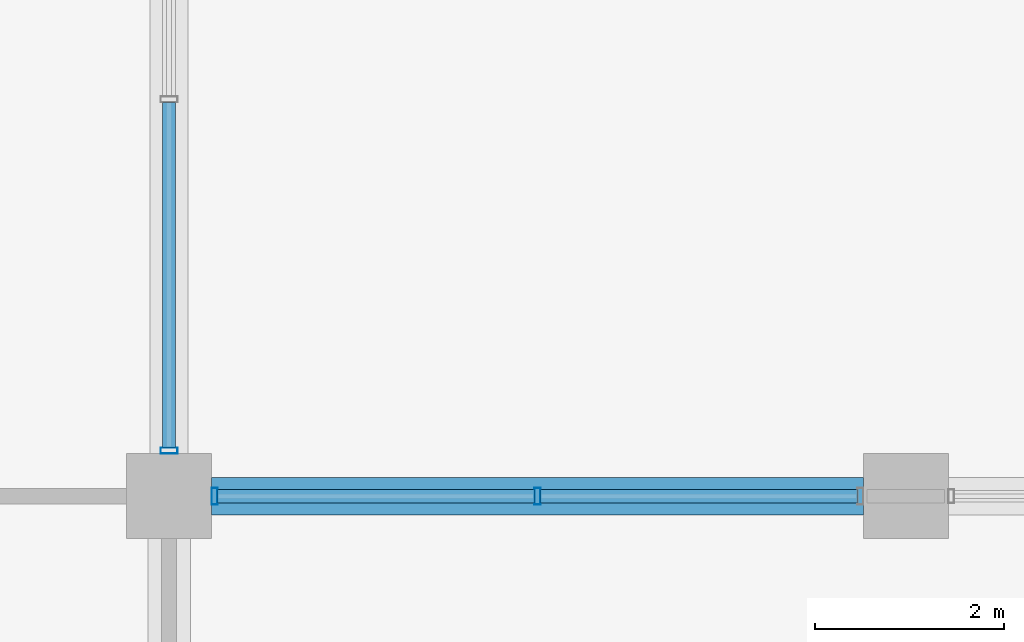
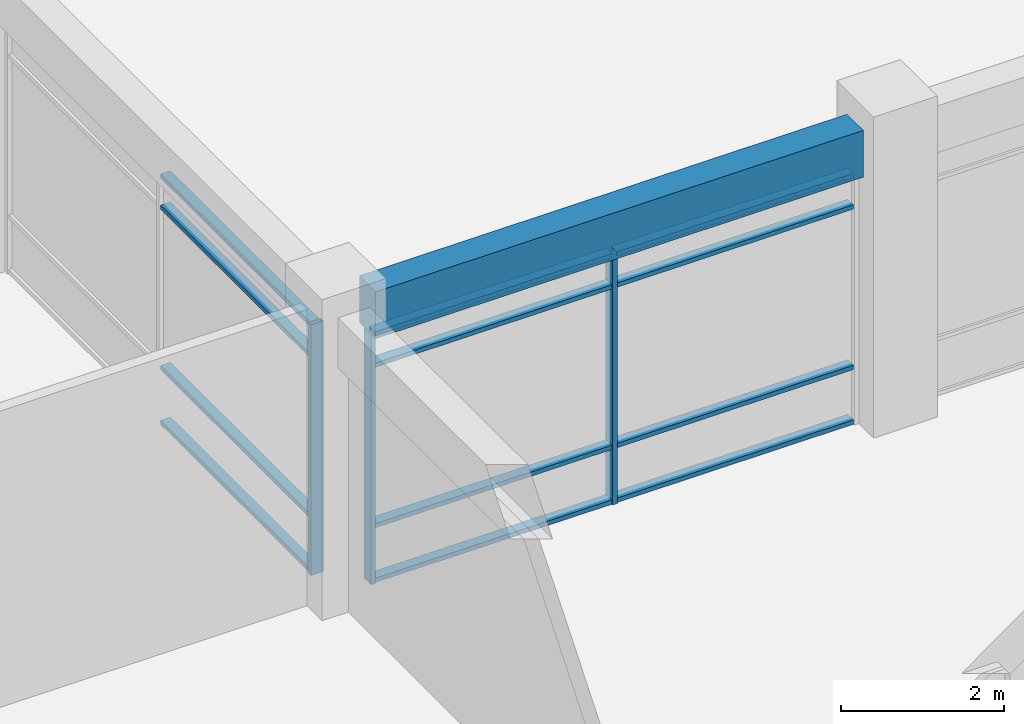
# One storey, part 19 of 74: 15 members, 1 beam, 2 elements without a shape of their own.
"""IFC4 building model written with IfcOpenShell, lengths in metres."""

from ifc_helpers import new_model, si_unit, direction, frame, origin, origin_2d, place, context, subcontext, project, spatial, rectangle, hollow_rectangle, extrude, material, material_profile, profile_set, type_object, element, aggregate, save


model = new_model("IFC4")

# Units and contexts
model_context = context("Model", 3, precision=1e-05, world=origin(), true_north=direction((0.0, 1.0)))
body_context = subcontext(model_context, "Body", "Model", "MODEL_VIEW")
ifc_project = project(units=[si_unit("LENGTHUNIT", "METRE"), si_unit("AREAUNIT", "SQUARE_METRE"), si_unit("VOLUMEUNIT", "CUBIC_METRE"), si_unit("PLANEANGLEUNIT", "RADIAN"), si_unit("MASSUNIT", "GRAM", prefix="KILO"), si_unit("THERMODYNAMICTEMPERATUREUNIT", "KELVIN"), si_unit("POWERUNIT", "WATT")], contexts=[model_context])

# Site, building, storey
site_placement = place(None, origin())
site = spatial("IfcSite", under=ifc_project, at=site_placement, CompositionType="ELEMENT")
building_placement = place(site_placement, origin())
building = spatial("IfcBuilding", under=site, at=building_placement, Name="Srebrne Nadtorze General Hospital", CompositionType="ELEMENT")
storey_placement = place(building_placement, origin())
storey = spatial("IfcBuildingStorey", under=building, at=storey_placement, Name="L00", CompositionType="ELEMENT", Elevation=0.0)

# Curtain wall, members
ifc_material_1 = material(Name="Anodised Aluminium", Category="aluminium")
curtain_wall_type_1 = type_object("IfcCurtainWallType", Name="Unitised curtain wall 6900x3750", PredefinedType="NOTDEFINED", material=ifc_material_1)
curtain_wall_1_placement = place(storey_placement, origin())
curtain_wall_1 = element("IfcCurtainWall", 1, at=curtain_wall_1_placement, inside=storey, type_object=curtain_wall_type_1, Name="Curtain wall CW-003", PredefinedType="NOTDEFINED")
ifc_material_2 = material(Name="Anodised Aluminium", Category="aluminium")
ifc_material_profile_1 = material_profile(ifc_material_2, hollow_rectangle(XDim=0.06494140625, YDim=0.179931640625, WallThickness=0.00390625, at=origin_2d()), Name="AL-MUL-65x180")
ifc_profile_set_1 = profile_set([ifc_material_profile_1], Name="Anodised Aluminium")
member_type_1 = type_object("IfcMemberType", Name="Curtain mullion 65x180", PredefinedType="MULLION", material=ifc_profile_set_1)
member_1_placement = place(storey_placement, frame((117.482421875, 8.39990234375, 0.0), z_axis=(0.0, 0.0, 1.0), x_axis=(1.0, 0.0, 0.0)))
member_1 = element("IfcMember", 2, at=member_1_placement, type_object=member_type_1, Name="CW-003 mullion 1", PredefinedType="MULLION", context=body_context, shape_type="SweptSolid", body=[
    extrude(hollow_rectangle(XDim=0.06494140625, YDim=0.179931640625, WallThickness=0.00390625, at=origin_2d()), origin(), (0.0, 0.0, 1.0), 3.75),
])
member_2_placement = place(storey_placement, frame((120.89990234375, 8.39990234375, 0.0), z_axis=(0.0, 0.0, 1.0), x_axis=(1.0, 0.0, 0.0)))
member_2 = element("IfcMember", 3, at=member_2_placement, type_object=member_type_1, Name="CW-003 mullion 2", PredefinedType="MULLION", context=body_context, shape_type="SweptSolid", body=[
    extrude(hollow_rectangle(XDim=0.06494140625, YDim=0.179931640625, WallThickness=0.00390625, at=origin_2d()), origin(), (0.0, 0.0, 1.0), 3.75),
])

# Curtain wall, member
ifc_material_3 = material(Name="Anodised Aluminium", Category="aluminium")
curtain_wall_type_2 = type_object("IfcCurtainWallType", Name="Unitised curtain wall 7500x3750", PredefinedType="NOTDEFINED", material=ifc_material_3)
curtain_wall_2_placement = place(storey_placement, origin())
curtain_wall_2 = element("IfcCurtainWall", 4, at=curtain_wall_2_placement, inside=storey, type_object=curtain_wall_type_2, Name="Curtain wall CW-025", PredefinedType="NOTDEFINED")
member_3_placement = place(storey_placement, frame((117.0, 8.882568359375, 0.0), z_axis=(0.0, 0.0, 1.0), x_axis=(0.0, 1.0, 0.0)))
member_3 = element("IfcMember", 5, at=member_3_placement, type_object=member_type_1, Name="CW-025 mullion 1", PredefinedType="MULLION", context=body_context, shape_type="SweptSolid", body=[
    extrude(hollow_rectangle(XDim=0.06494140625, YDim=0.179931640625, WallThickness=0.00390625, at=origin_2d()), origin(), (0.0, 0.0, 1.0), 3.75),
])

# Member
ifc_material_4 = material(Name="Anodised Aluminium", Category="aluminium")
ifc_material_profile_2 = material_profile(ifc_material_4, hollow_rectangle(XDim=0.06494140625, YDim=0.139892578125, WallThickness=0.00390625, at=origin_2d()), Name="AL-TRN-65x140")
ifc_profile_set_2 = profile_set([ifc_material_profile_2], Name="Anodised Aluminium")
member_type_2 = type_object("IfcMemberType", Name="Curtain transom 65x140", PredefinedType="USERDEFINED", material=ifc_profile_set_2)
member_4_placement = place(storey_placement, frame((117.514892578125, 8.39990234375, 0.032470703125), z_axis=(1.0, 0.0, 0.0), x_axis=(0.0, 0.0, 1.0)))
member_4 = element("IfcMember", 6, at=member_4_placement, type_object=member_type_2, Name="CW-003 transom 1.1", ObjectType="TRANSOM", PredefinedType="USERDEFINED", context=body_context, shape_type="SweptSolid", body=[
    extrude(hollow_rectangle(XDim=0.06494140625, YDim=0.139892578125, WallThickness=0.00390625, at=origin_2d()), origin(), (0.0, 0.0, 1.0), 3.3525390625),
])

member_5_placement = place(storey_placement, frame((117.514892578125, 8.39990234375, 0.85009765625), z_axis=(1.0, 0.0, 0.0), x_axis=(0.0, 0.0, 1.0)))
member_5 = element("IfcMember", 7, at=member_5_placement, type_object=member_type_2, Name="CW-003 transom 1.2", ObjectType="TRANSOM", PredefinedType="USERDEFINED", context=body_context, shape_type="SweptSolid", body=[
    extrude(hollow_rectangle(XDim=0.06494140625, YDim=0.139892578125, WallThickness=0.00390625, at=origin_2d()), origin(), (0.0, 0.0, 1.0), 3.3525390625),
])

member_6_placement = place(storey_placement, frame((117.514892578125, 8.39990234375, 3.25), z_axis=(1.0, 0.0, 0.0), x_axis=(0.0, 0.0, 1.0)))
member_6 = element("IfcMember", 8, at=member_6_placement, type_object=member_type_2, Name="CW-003 transom 1.3", ObjectType="TRANSOM", PredefinedType="USERDEFINED", context=body_context, shape_type="SweptSolid", body=[
    extrude(hollow_rectangle(XDim=0.06494140625, YDim=0.139892578125, WallThickness=0.00390625, at=origin_2d()), origin(), (0.0, 0.0, 1.0), 3.3525390625),
])

member_7_placement = place(storey_placement, frame((117.514892578125, 8.39990234375, 3.717529296875), z_axis=(1.0, 0.0, 0.0), x_axis=(0.0, 0.0, 1.0)))
member_7 = element("IfcMember", 9, at=member_7_placement, type_object=member_type_2, Name="CW-003 transom 1.4", ObjectType="TRANSOM", PredefinedType="USERDEFINED", context=body_context, shape_type="SweptSolid", body=[
    extrude(hollow_rectangle(XDim=0.06494140625, YDim=0.139892578125, WallThickness=0.00390625, at=origin_2d()), origin(), (0.0, 0.0, 1.0), 3.3525390625),
])

member_8_placement = place(storey_placement, frame((120.9326171875, 8.39990234375, 0.032470703125), z_axis=(1.0, 0.0, 0.0), x_axis=(0.0, 0.0, 1.0)))
member_8 = element("IfcMember", 10, at=member_8_placement, type_object=member_type_2, Name="CW-003 transom 2.1", ObjectType="TRANSOM", PredefinedType="USERDEFINED", context=body_context, shape_type="SweptSolid", body=[
    extrude(hollow_rectangle(XDim=0.06494140625, YDim=0.139892578125, WallThickness=0.00390625, at=origin_2d()), origin(), (0.0, 0.0, 1.0), 3.352294921875),
])

member_9_placement = place(storey_placement, frame((120.9326171875, 8.39990234375, 0.85009765625), z_axis=(1.0, 0.0, 0.0), x_axis=(0.0, 0.0, 1.0)))
member_9 = element("IfcMember", 11, at=member_9_placement, type_object=member_type_2, Name="CW-003 transom 2.2", ObjectType="TRANSOM", PredefinedType="USERDEFINED", context=body_context, shape_type="SweptSolid", body=[
    extrude(hollow_rectangle(XDim=0.06494140625, YDim=0.139892578125, WallThickness=0.00390625, at=origin_2d()), origin(), (0.0, 0.0, 1.0), 3.352294921875),
])

member_10_placement = place(storey_placement, frame((120.9326171875, 8.39990234375, 3.25), z_axis=(1.0, 0.0, 0.0), x_axis=(0.0, 0.0, 1.0)))
member_10 = element("IfcMember", 12, at=member_10_placement, type_object=member_type_2, Name="CW-003 transom 2.3", ObjectType="TRANSOM", PredefinedType="USERDEFINED", context=body_context, shape_type="SweptSolid", body=[
    extrude(hollow_rectangle(XDim=0.06494140625, YDim=0.139892578125, WallThickness=0.00390625, at=origin_2d()), origin(), (0.0, 0.0, 1.0), 3.352294921875),
])

member_11_placement = place(storey_placement, frame((120.9326171875, 8.39990234375, 3.717529296875), z_axis=(1.0, 0.0, 0.0), x_axis=(0.0, 0.0, 1.0)))
member_11 = element("IfcMember", 13, at=member_11_placement, type_object=member_type_2, Name="CW-003 transom 2.4", ObjectType="TRANSOM", PredefinedType="USERDEFINED", context=body_context, shape_type="SweptSolid", body=[
    extrude(hollow_rectangle(XDim=0.06494140625, YDim=0.139892578125, WallThickness=0.00390625, at=origin_2d()), origin(), (0.0, 0.0, 1.0), 3.352294921875),
])

aggregate(curtain_wall_1, [member_1, member_2, member_4, member_5, member_6, member_7, member_8, member_9, member_10, member_11])

member_12_placement = place(storey_placement, frame((117.0, 8.9150390625, 0.032470703125), z_axis=(0.0, 1.0, 0.0), x_axis=(0.0, 0.0, 1.0)))
member_12 = element("IfcMember", 14, at=member_12_placement, type_object=member_type_2, Name="CW-025 transom 1.1", ObjectType="TRANSOM", PredefinedType="USERDEFINED", context=body_context, shape_type="SweptSolid", body=[
    extrude(hollow_rectangle(XDim=0.06494140625, YDim=0.139892578125, WallThickness=0.00390625, at=origin_2d()), origin(), (0.0, 0.0, 1.0), 3.65234375),
])

member_13_placement = place(storey_placement, frame((117.0, 8.9150390625, 0.85009765625), z_axis=(0.0, 1.0, 0.0), x_axis=(0.0, 0.0, 1.0)))
member_13 = element("IfcMember", 15, at=member_13_placement, type_object=member_type_2, Name="CW-025 transom 1.2", ObjectType="TRANSOM", PredefinedType="USERDEFINED", context=body_context, shape_type="SweptSolid", body=[
    extrude(hollow_rectangle(XDim=0.06494140625, YDim=0.139892578125, WallThickness=0.00390625, at=origin_2d()), origin(), (0.0, 0.0, 1.0), 3.65234375),
])

member_14_placement = place(storey_placement, frame((117.0, 8.9150390625, 3.25), z_axis=(0.0, 1.0, 0.0), x_axis=(0.0, 0.0, 1.0)))
member_14 = element("IfcMember", 16, at=member_14_placement, type_object=member_type_2, Name="CW-025 transom 1.3", ObjectType="TRANSOM", PredefinedType="USERDEFINED", context=body_context, shape_type="SweptSolid", body=[
    extrude(hollow_rectangle(XDim=0.06494140625, YDim=0.139892578125, WallThickness=0.00390625, at=origin_2d()), origin(), (0.0, 0.0, 1.0), 3.65234375),
])

member_15_placement = place(storey_placement, frame((117.0, 8.9150390625, 3.717529296875), z_axis=(0.0, 1.0, 0.0), x_axis=(0.0, 0.0, 1.0)))
member_15 = element("IfcMember", 17, at=member_15_placement, type_object=member_type_2, Name="CW-025 transom 1.4", ObjectType="TRANSOM", PredefinedType="USERDEFINED", context=body_context, shape_type="SweptSolid", body=[
    extrude(hollow_rectangle(XDim=0.06494140625, YDim=0.139892578125, WallThickness=0.00390625, at=origin_2d()), origin(), (0.0, 0.0, 1.0), 3.65234375),
])

aggregate(curtain_wall_2, [member_3, member_12, member_13, member_14, member_15])

# Beam
ifc_material_5 = material(Name="Concrete C40/50", Category="concrete")
ifc_material_profile_3 = material_profile(ifc_material_5, rectangle(XDim=0.39990234375, YDim=0.699951171875, at=origin_2d()), Name="RC-BM-400x700")
ifc_profile_set_3 = profile_set([ifc_material_profile_3], Name="Concrete C40/50")
beam_type = type_object("IfcBeamType", Name="Edge beam RC 400x700", PredefinedType="BEAM", material=ifc_profile_set_3)
beam_placement = place(storey_placement, frame((117.449951171875, 8.39990234375, 4.10009765625), z_axis=(1.0, 0.0, 0.0), x_axis=(0.0, 1.0, 0.0)))
element("IfcBeam", 18, at=beam_placement, inside=storey, type_object=beam_type, Name="Beam BM-L00-X-0197", PredefinedType="BEAM", context=body_context, shape_type="SweptSolid", body=[
    extrude(rectangle(XDim=0.39990234375, YDim=0.699951171875, at=origin_2d()), origin(), (0.0, 0.0, 1.0), 6.900146484375),
])

save(model, "model.ifc")
